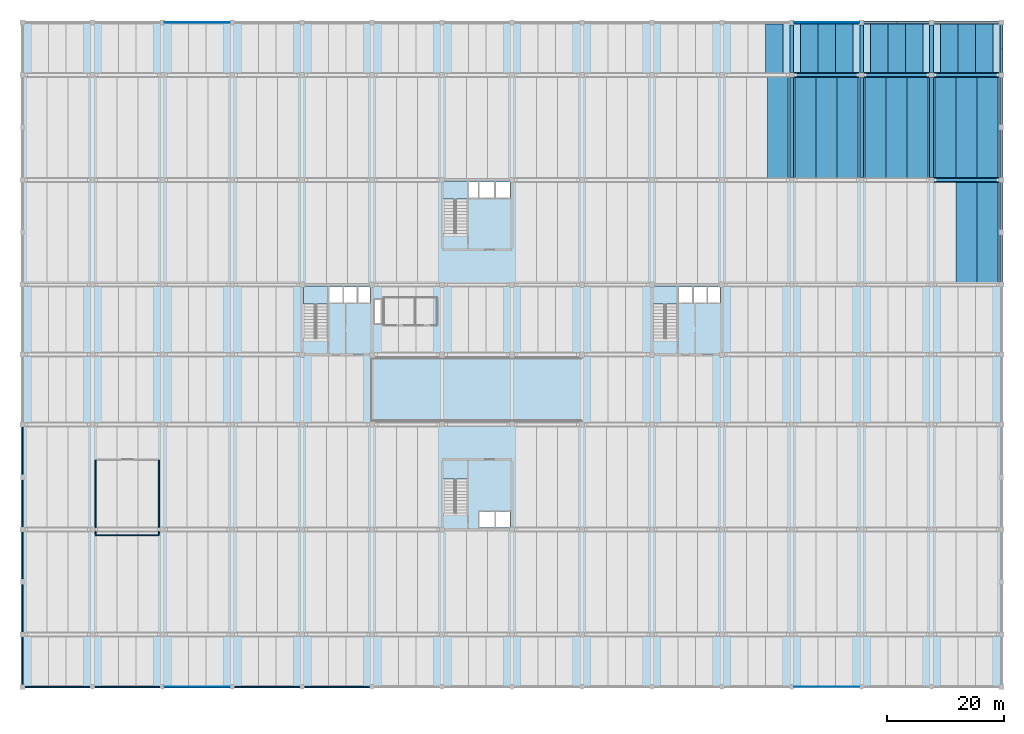
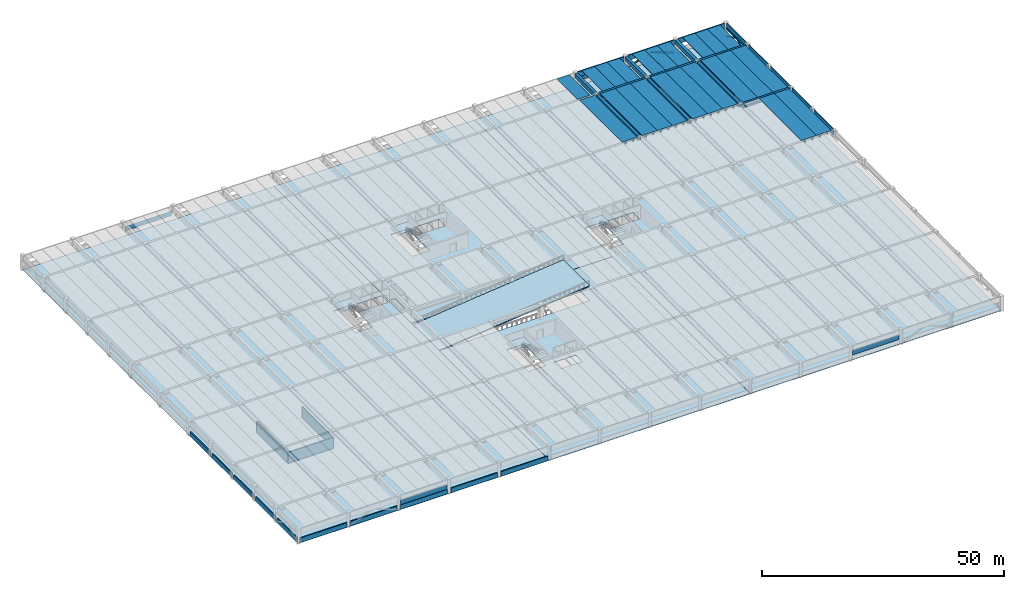
# One storey, part 6 of 19: 40 beams, 13 walls, 9 slabs, 4 members, 4 plates, 4 elements without a shape of their own.
"""IFC4 building model written with IfcOpenShell, lengths in metres."""

from ifc_helpers import new_model, si_unit, direction, frame, frame_2d, origin, origin_2d, place, context, subcontext, project, spatial, polyline, rectangle, hollow_rectangle, outline, extrude, material, layer, layer_set, material_profile, profile_set, type_object, element, aggregate, save


model = new_model("IFC4")

# Units and contexts
model_context = context("Model", 3, precision=1e-05, world=origin(), true_north=direction((0.0, 1.0)))
body_context = subcontext(model_context, "Body", "Model", "MODEL_VIEW")
ifc_project = project(units=[si_unit("LENGTHUNIT", "METRE"), si_unit("AREAUNIT", "SQUARE_METRE"), si_unit("VOLUMEUNIT", "CUBIC_METRE"), si_unit("PLANEANGLEUNIT", "RADIAN"), si_unit("MASSUNIT", "GRAM", prefix="KILO")], contexts=[model_context])

# Site, building, storey
site_placement = place(None, origin())
site = spatial("IfcSite", under=ifc_project, at=site_placement, CompositionType="ELEMENT")
building_placement = place(site_placement, origin())
building = spatial("IfcBuilding", under=site, at=building_placement, Name="Girod Span Mobility Hub", CompositionType="ELEMENT")
storey_placement = place(building_placement, frame((0.0, 0.0, 9.60009765625)))
storey = spatial("IfcBuildingStorey", under=building, at=storey_placement, Name="L02", CompositionType="ELEMENT", Elevation=9.60009765625)

# Beams
ifc_material_1 = material(Name="Concrete C50/60", Category="concrete")
ifc_material_profile_1 = material_profile(ifc_material_1, outline(polyline([(-1.5, 0.35009765625), (-1.5, 0.2548828125), (-0.840087890625, 0.2548828125), (-0.81494140625, -0.35009765625), (-0.68505859375, -0.35009765625), (-0.659912109375, 0.2548828125), (0.659912109375, 0.2548828125), (0.68505859375, -0.35009765625), (0.81494140625, -0.35009765625), (0.840087890625, 0.2548828125), (1.5, 0.2548828125), (1.5, 0.35009765625), (-1.5, 0.35009765625)])), Name="DT-3000X700")
ifc_profile_set_1 = profile_set([ifc_material_profile_1], Name="Concrete C50/60")
beam_type_1 = type_object("IfcBeamType", Name="BM-DT-3000X700", PredefinedType="JOIST", material=ifc_profile_set_1)
for number, where, z_axis, x_axis, name in (
    (1, (129.0, 105.2470703125, 3.284912109375), (0.0, 1.0, 0.0), (-1.0, 0.0, 0.0), "Double-Tee Deck 11/H-3 L02"),
    (2, (135.0, 105.2470703125, 3.284912109375), (0.0, 1.0, 0.0), (-1.0, 0.0, 0.0), "Double-Tee Deck 12/H-1 L02"),
    (3, (138.0, 105.2470703125, 3.284912109375), (0.0, 1.0, 0.0), (-1.0, 0.0, 0.0), "Double-Tee Deck 12/H-2 L02"),
    (4, (141.0, 105.2470703125, 3.284912109375), (0.0, 1.0, 0.0), (-1.0, 0.0, 0.0), "Double-Tee Deck 12/H-3 L02"),
    (5, (147.0, 105.2470703125, 3.284912109375), (0.0, 1.0, 0.0), (-1.0, 0.0, 0.0), "Double-Tee Deck 13/H-1 L02"),
    (6, (150.0, 105.2470703125, 3.284912109375), (0.0, 1.0, 0.0), (-1.0, 0.0, 0.0), "Double-Tee Deck 13/H-2 L02"),
    (7, (153.0, 105.2470703125, 3.284912109375), (0.0, 1.0, 0.0), (-1.0, 0.0, 0.0), "Double-Tee Deck 13/H-3 L02"),
    (8, (159.0, 105.2470703125, 3.284912109375), (0.0, 1.0, 0.0), (-1.0, 0.0, 0.0), "Double-Tee Deck 14/H-1 L02"),
    (9, (162.0, 105.2470703125, 3.284912109375), (0.0, 1.0, 0.0), (-1.0, 0.0, 0.0), "Double-Tee Deck 14/H-2 L02"),
    (10, (165.0, 105.2470703125, 3.284912109375), (0.0, 1.0, 0.0), (-1.0, 0.0, 0.0), "Double-Tee Deck 14/H-3 L02"),
):
    element("IfcBeam", number, at=place(storey_placement, frame(where, z_axis=z_axis, x_axis=x_axis)), inside=storey, type_object=beam_type_1, Name=name, PredefinedType="JOIST", context=body_context, shape_type="SweptSolid", body=[
        extrude(outline(polyline([(-1.5, 0.35009765625), (-1.5, 0.2548828125), (-0.840087890625, 0.2548828125), (-0.81494140625, -0.35009765625), (-0.68505859375, -0.35009765625), (-0.659912109375, 0.2548828125), (0.659912109375, 0.2548828125), (0.68505859375, -0.35009765625), (0.81494140625, -0.35009765625), (0.840087890625, 0.2548828125), (1.5, 0.2548828125), (1.5, 0.35009765625), (-1.5, 0.35009765625)])), origin(), (0.0, 0.0, 1.0), 8.531005859375),
    ])
ifc_material_2 = material(Name="Concrete C50/60", Category="concrete")
ifc_material_profile_2 = material_profile(ifc_material_2, outline(polyline([(-1.800048828125, 0.425048828125), (-1.800048828125, 0.324951171875), (-1.0, 0.324951171875), (-0.969970703125, -0.425048828125), (-0.830078125, -0.425048828125), (-0.800048828125, 0.324951171875), (0.800048828125, 0.324951171875), (0.830078125, -0.425048828125), (0.969970703125, -0.425048828125), (1.0, 0.324951171875), (1.800048828125, 0.324951171875), (1.800048828125, 0.425048828125), (-1.800048828125, 0.425048828125)])), Name="DT-3600X850")
ifc_profile_set_2 = profile_set([ifc_material_profile_2], Name="Concrete C50/60")
beam_type_2 = type_object("IfcBeamType", Name="BM-DT-3600X850", PredefinedType="JOIST", material=ifc_profile_set_2)
for number, where, z_axis, x_axis, name in (
    (11, (129.60009765625, 87.2470703125, 3.2099609375), (0.0, 1.0, 0.0), (-1.0, 0.0, 0.0), "Double-Tee Deck 11/G-3 L02"),
    (12, (134.39990234375, 87.2470703125, 3.2099609375), (0.0, 1.0, 0.0), (-1.0, 0.0, 0.0), "Double-Tee Deck 12/G-1 L02"),
    (13, (138.0, 87.2470703125, 3.2099609375), (0.0, 1.0, 0.0), (-1.0, 0.0, 0.0), "Double-Tee Deck 12/G-2 L02"),
    (14, (141.60009765625, 87.2470703125, 3.2099609375), (0.0, 1.0, 0.0), (-1.0, 0.0, 0.0), "Double-Tee Deck 12/G-3 L02"),
    (15, (146.39990234375, 87.2470703125, 3.2099609375), (0.0, 1.0, 0.0), (-1.0, 0.0, 0.0), "Double-Tee Deck 13/G-1 L02"),
    (16, (150.0, 87.2470703125, 3.2099609375), (0.0, 1.0, 0.0), (-1.0, 0.0, 0.0), "Double-Tee Deck 13/G-2 L02"),
    (17, (153.60009765625, 87.2470703125, 3.2099609375), (0.0, 1.0, 0.0), (-1.0, 0.0, 0.0), "Double-Tee Deck 13/G-3 L02"),
    (18, (162.0, 69.2470703125, 3.2099609375), (0.0, 1.0, 0.0), (-1.0, 0.0, 0.0), "Double-Tee Deck 14/F-2 L02"),
    (19, (165.60009765625, 69.2470703125, 3.2099609375), (0.0, 1.0, 0.0), (-1.0, 0.0, 0.0), "Double-Tee Deck 14/F-3 L02"),
    (20, (158.39990234375, 87.2470703125, 3.2099609375), (0.0, 1.0, 0.0), (-1.0, 0.0, 0.0), "Double-Tee Deck 14/G-1 L02"),
    (21, (162.0, 87.2470703125, 3.2099609375), (0.0, 1.0, 0.0), (-1.0, 0.0, 0.0), "Double-Tee Deck 14/G-2 L02"),
    (22, (165.60009765625, 87.2470703125, 3.2099609375), (0.0, 1.0, 0.0), (-1.0, 0.0, 0.0), "Double-Tee Deck 14/G-3 L02"),
):
    element("IfcBeam", number, at=place(storey_placement, frame(where, z_axis=z_axis, x_axis=x_axis)), inside=storey, type_object=beam_type_2, Name=name, PredefinedType="JOIST", context=body_context, shape_type="SweptSolid", body=[
        extrude(outline(polyline([(-1.800048828125, 0.425048828125), (-1.800048828125, 0.324951171875), (-1.0, 0.324951171875), (-0.969970703125, -0.425048828125), (-0.830078125, -0.425048828125), (-0.800048828125, 0.324951171875), (0.800048828125, 0.324951171875), (0.830078125, -0.425048828125), (0.969970703125, -0.425048828125), (1.0, 0.324951171875), (1.800048828125, 0.324951171875), (1.800048828125, 0.425048828125), (-1.800048828125, 0.425048828125)])), origin(), (0.0, 0.0, 1.0), 17.505859375),
    ])
ifc_material_3 = material(Name="Concrete C50/60", Category="concrete")
ifc_material_profile_3 = material_profile(ifc_material_3, outline(polyline([(-0.425048828125, -0.47509765625), (0.425048828125, -0.47509765625), (0.425048828125, -0.155029296875), (0.25, -0.155029296875), (0.25, 0.47509765625), (-0.25, 0.47509765625), (-0.25, -0.155029296875), (-0.425048828125, -0.155029296875), (-0.425048828125, -0.47509765625)])), Name="IT-850X950")
ifc_profile_set_3 = profile_set([ifc_material_profile_3], Name="Concrete C50/60")
beam_type_3 = type_object("IfcBeamType", Name="BM-IT-850X950", PredefinedType="T_BEAM", material=ifc_profile_set_3)
for number, where, z_axis, x_axis, name in (
    (23, (156.422119140625, 87.0, 3.159912109375), (1.0, 0.0, 0.0), (0.0, 1.0, 0.0), "Girder 14-15/G L02"),
    (24, (132.422119140625, 105.0, 3.159912109375), (1.0, 0.0, 0.0), (0.0, 1.0, 0.0), "Girder 12-13/H L02"),
    (25, (144.422119140625, 105.0, 3.159912109375), (1.0, 0.0, 0.0), (0.0, 1.0, 0.0), "Girder 13-14/H L02"),
    (26, (156.422119140625, 105.0, 3.159912109375), (1.0, 0.0, 0.0), (0.0, 1.0, 0.0), "Girder 14-15/H L02"),
):
    element("IfcBeam", number, at=place(storey_placement, frame(where, z_axis=z_axis, x_axis=x_axis)), inside=storey, type_object=beam_type_3, Name=name, PredefinedType="T_BEAM", context=body_context, shape_type="SweptSolid", body=[
        extrude(outline(polyline([(-0.425048828125, -0.47509765625), (0.425048828125, -0.47509765625), (0.425048828125, -0.155029296875), (0.25, -0.155029296875), (0.25, 0.47509765625), (-0.25, 0.47509765625), (-0.25, -0.155029296875), (-0.425048828125, -0.155029296875), (-0.425048828125, -0.47509765625)])), origin(), (0.0, 0.0, 1.0), 11.15576171875),
    ])
ifc_material_4 = material(Name="Concrete C40/50", Category="concrete")
ifc_material_profile_4 = material_profile(ifc_material_4, outline(polyline([(-0.22509765625, -0.675048828125), (0.22509765625, -0.675048828125), (0.22509765625, -0.324951171875), (0.02490234375, -0.324951171875), (0.02490234375, 0.675048828125), (-0.22509765625, 0.675048828125), (-0.22509765625, -0.675048828125)])), Name="SP-450X1350")
ifc_profile_set_4 = profile_set([ifc_material_profile_4], Name="Concrete C40/50")
beam_type_4 = type_object("IfcBeamType", Name="BM-SP-450X1350", PredefinedType="SPANDREL", material=ifc_profile_set_4)
for number, where, z_axis, x_axis, name in (
    (27, (132.422119140625, 114.0, 2.9599609375), (1.0, 0.0, 0.0), (0.0, 1.0, 0.0), "Girder 12-13/J L02"),
    (28, (144.422119140625, 114.0, 2.9599609375), (1.0, 0.0, 0.0), (0.0, 1.0, 0.0), "Girder 13-14/J L02"),
    (29, (156.422119140625, 114.0, 2.9599609375), (1.0, 0.0, 0.0), (0.0, 1.0, 0.0), "Girder 14-15/J L02"),
):
    element("IfcBeam", number, at=place(storey_placement, frame(where, z_axis=z_axis, x_axis=x_axis)), inside=storey, type_object=beam_type_4, Name=name, PredefinedType="SPANDREL", context=body_context, shape_type="SweptSolid", body=[
        extrude(outline(polyline([(-0.22509765625, -0.675048828125), (0.22509765625, -0.675048828125), (0.22509765625, -0.324951171875), (0.02490234375, -0.324951171875), (0.02490234375, 0.675048828125), (-0.22509765625, 0.675048828125), (-0.22509765625, -0.675048828125)])), origin(), (0.0, 0.0, 1.0), 11.15576171875),
    ])
for number, where, z_axis, x_axis, name in (
    (30, (168.0, 69.422119140625, 2.9599609375), (0.0, 1.0, 0.0), (-1.0, 0.0, 0.0), "Perimeter Spandrel 15/F-S L02"),
    (31, (168.0, 78.471923828125, 2.9599609375), (0.0, 1.0, 0.0), (-1.0, 0.0, 0.0), "Perimeter Spandrel 15/F-N L02"),
    (32, (168.0, 87.422119140625, 2.9599609375), (0.0, 1.0, 0.0), (-1.0, 0.0, 0.0), "Perimeter Spandrel 15/G-S L02"),
    (33, (168.0, 96.471923828125, 2.9599609375), (0.0, 1.0, 0.0), (-1.0, 0.0, 0.0), "Perimeter Spandrel 15/G-N L02"),
):
    element("IfcBeam", number, at=place(storey_placement, frame(where, z_axis=z_axis, x_axis=x_axis)), inside=storey, type_object=beam_type_4, Name=name, PredefinedType="SPANDREL", context=body_context, shape_type="SweptSolid", body=[
        extrude(outline(polyline([(-0.22509765625, -0.675048828125), (0.22509765625, -0.675048828125), (0.22509765625, -0.324951171875), (0.02490234375, -0.324951171875), (0.02490234375, 0.675048828125), (-0.22509765625, 0.675048828125), (-0.22509765625, -0.675048828125)])), origin(), (0.0, 0.0, 1.0), 8.10595703125),
    ])
beam_1_placement = place(storey_placement, frame((168.0, 105.422119140625, 2.9599609375), z_axis=(0.0, 1.0, 0.0), x_axis=(-1.0, 0.0, 0.0)))
element("IfcBeam", 34, at=beam_1_placement, inside=storey, type_object=beam_type_4, Name="Tie Girder 15/H-J L02", PredefinedType="SPANDREL", context=body_context, shape_type="SweptSolid", body=[
    extrude(outline(polyline([(-0.22509765625, -0.675048828125), (0.22509765625, -0.675048828125), (0.22509765625, -0.324951171875), (0.02490234375, -0.324951171875), (0.02490234375, 0.675048828125), (-0.22509765625, 0.675048828125), (-0.22509765625, -0.675048828125)])), origin(), (0.0, 0.0, 1.0), 8.15576171875),
])
ifc_material_5 = material(Name="Concrete C40/50", Category="concrete")
ifc_material_profile_5 = material_profile(ifc_material_5, rectangle(XDim=0.64990234375, YDim=1.0, at=origin_2d()), Name="TG-650X1000")
ifc_profile_set_5 = profile_set([ifc_material_profile_5], Name="Concrete C40/50")
beam_type_5 = type_object("IfcBeamType", Name="BM-TG-650X1000", PredefinedType="T_BEAM", material=ifc_profile_set_5)
beam_2_placement = place(storey_placement, frame((132.0, 87.422119140625, 3.135009765625), z_axis=(0.0, 1.0, 0.0), x_axis=(-1.0, 0.0, 0.0)))
element("IfcBeam", 35, at=beam_2_placement, inside=storey, type_object=beam_type_5, Name="Tie Girder 12/G-H L02", PredefinedType="T_BEAM", context=body_context, shape_type="SweptSolid", body=[
    extrude(rectangle(XDim=0.64990234375, YDim=1.0, at=origin_2d()), origin(), (0.0, 0.0, 1.0), 17.15576171875),
])
beam_3_placement = place(storey_placement, frame((132.0, 105.422119140625, 3.135009765625), z_axis=(0.0, 1.0, 0.0), x_axis=(-1.0, 0.0, 0.0)))
element("IfcBeam", 36, at=beam_3_placement, inside=storey, type_object=beam_type_5, Name="Tie Girder 12/H-J L02", PredefinedType="T_BEAM", context=body_context, shape_type="SweptSolid", body=[
    extrude(rectangle(XDim=0.64990234375, YDim=1.0, at=origin_2d()), origin(), (0.0, 0.0, 1.0), 8.15576171875),
])
beam_4_placement = place(storey_placement, frame((144.0, 87.422119140625, 3.135009765625), z_axis=(0.0, 1.0, 0.0), x_axis=(-1.0, 0.0, 0.0)))
element("IfcBeam", 37, at=beam_4_placement, inside=storey, type_object=beam_type_5, Name="Tie Girder 13/G-H L02", PredefinedType="T_BEAM", context=body_context, shape_type="SweptSolid", body=[
    extrude(rectangle(XDim=0.64990234375, YDim=1.0, at=origin_2d()), origin(), (0.0, 0.0, 1.0), 17.15576171875),
])
beam_5_placement = place(storey_placement, frame((144.0, 105.422119140625, 3.135009765625), z_axis=(0.0, 1.0, 0.0), x_axis=(-1.0, 0.0, 0.0)))
element("IfcBeam", 38, at=beam_5_placement, inside=storey, type_object=beam_type_5, Name="Tie Girder 13/H-J L02", PredefinedType="T_BEAM", context=body_context, shape_type="SweptSolid", body=[
    extrude(rectangle(XDim=0.64990234375, YDim=1.0, at=origin_2d()), origin(), (0.0, 0.0, 1.0), 8.15576171875),
])
beam_6_placement = place(storey_placement, frame((156.0, 87.422119140625, 3.135009765625), z_axis=(0.0, 1.0, 0.0), x_axis=(-1.0, 0.0, 0.0)))
element("IfcBeam", 39, at=beam_6_placement, inside=storey, type_object=beam_type_5, Name="Tie Girder 14/G-H L02", PredefinedType="T_BEAM", context=body_context, shape_type="SweptSolid", body=[
    extrude(rectangle(XDim=0.64990234375, YDim=1.0, at=origin_2d()), origin(), (0.0, 0.0, 1.0), 17.15576171875),
])
beam_7_placement = place(storey_placement, frame((156.0, 105.422119140625, 3.135009765625), z_axis=(0.0, 1.0, 0.0), x_axis=(-1.0, 0.0, 0.0)))
element("IfcBeam", 40, at=beam_7_placement, inside=storey, type_object=beam_type_5, Name="Tie Girder 14/H-J L02", PredefinedType="T_BEAM", context=body_context, shape_type="SweptSolid", body=[
    extrude(rectangle(XDim=0.64990234375, YDim=1.0, at=origin_2d()), origin(), (0.0, 0.0, 1.0), 8.15576171875),
])

# Members
ifc_material_6 = material(Name="Steel HSS A500 Grade C", Category="steel")
ifc_material_profile_6 = material_profile(ifc_material_6, hollow_rectangle(XDim=0.304931640625, YDim=0.304931640625, WallThickness=0.014892578125, InnerFilletRadius=0.014892578125, OuterFilletRadius=0.029541015625, at=origin_2d()), Name="HSS305X305X16")
ifc_profile_set_6 = profile_set([ifc_material_profile_6], Name="Steel HSS A500 Grade C")
member_type = type_object("IfcMemberType", Name="MB-BR-HSS305", PredefinedType="BRACE", material=ifc_profile_set_6)
for number, where, z_axis, x_axis, name in (
    (41, (144.405029296875, 114.0, 0.349853515625), (0.940836636114, 0.0, 0.33886047888), (0.0, 1.0, 0.0), "Perimeter Chevron Brace 13/J-L L02"),
    (42, (155.594970703125, 114.0, 0.349853515625), (-0.940836636114, 0.0, 0.33886047888), (0.0, -1.0, 0.0), "Perimeter Chevron Brace 13/J-R L02"),
):
    element("IfcMember", number, at=place(storey_placement, frame(where, z_axis=z_axis, x_axis=x_axis)), inside=storey, type_object=member_type, Name=name, PredefinedType="BRACE", context=body_context, shape_type="SweptSolid", body=[
        extrude(hollow_rectangle(XDim=0.304931640625, YDim=0.304931640625, WallThickness=0.014892578125, InnerFilletRadius=0.014892578125, OuterFilletRadius=0.029541015625, at=origin_2d()), origin(), (0.0, 0.0, 1.0), 5.94677734375),
    ])
for number, where, z_axis, x_axis, name in (
    (43, (168.0, 105.405029296875, 0.349853515625), (0.0, 0.897244365985, 0.441534310907), (-1.0, 0.0, 0.0), "Side Chevron Brace 15/H-S L02"),
    (44, (168.0, 113.594970703125, 0.349853515625), (0.0, -0.897244365985, 0.441534310907), (1.0, 0.0, 0.0), "Side Chevron Brace 15/H-N L02"),
):
    element("IfcMember", number, at=place(storey_placement, frame(where, z_axis=z_axis, x_axis=x_axis)), inside=storey, type_object=member_type, Name=name, PredefinedType="BRACE", context=body_context, shape_type="SweptSolid", body=[
        extrude(hollow_rectangle(XDim=0.304931640625, YDim=0.304931640625, WallThickness=0.014892578125, InnerFilletRadius=0.014892578125, OuterFilletRadius=0.029541015625, at=origin_2d()), origin(), (0.0, 0.0, 1.0), 4.56396484375),
    ])

# Plates
ifc_material_7 = material(Name="Perforated Powder-Coated Aluminium Sheet", Category="aluminium")
ifc_layer_1 = layer(ifc_material_7, 0.035888671875)
ifc_layer_set_1 = layer_set([ifc_layer_1], Name="Perforated Powder-Coated Aluminium Sheet")
plate_type = type_object("IfcPlateType", Name="PLT-CLD-11154X1135X36", PredefinedType="USERDEFINED", material=ifc_layer_set_1)
for number, where, z_axis, x_axis, name in (
    (45, (30.0, 0.0, 1.14990234375), (0.0, 0.0, 1.0), (1.0, 0.0, 0.0), "Perforated Aluminium Cladding Panel S-3 L02"),
    (46, (138.0, 0.0, 1.14990234375), (0.0, 0.0, 1.0), (1.0, 0.0, 0.0), "Perforated Aluminium Cladding Panel S-12 L02"),
    (47, (30.0, 114.0, 1.14990234375), (0.0, 0.0, 1.0), (1.0, 0.0, 0.0), "Perforated Aluminium Cladding Panel N-3 L02"),
    (48, (138.0, 114.0, 1.14990234375), (0.0, 0.0, 1.0), (1.0, 0.0, 0.0), "Perforated Aluminium Cladding Panel N-12 L02"),
):
    element("IfcPlate", number, at=place(storey_placement, frame(where, z_axis=z_axis, x_axis=x_axis)), inside=storey, type_object=plate_type, Name=name, ObjectType="CLADDING", PredefinedType="USERDEFINED", context=body_context, shape_type="SweptSolid", body=[
        extrude(rectangle(XDim=11.154052734375, YDim=0.035888671875, at=origin_2d()), origin(), (0.0, 0.0, 1.0), 1.135009765625),
    ])

# Slabs
ifc_material_8 = material(Name="Concrete C40/50", Category="concrete")
ifc_layer_2 = layer(ifc_material_8, 0.159912109375)
ifc_layer_set_2 = layer_set([ifc_layer_2], Name="Concrete C40/50")
slab_type_1 = type_object("IfcSlabType", Name="SL-FLR-160", PredefinedType="FLOOR", material=ifc_layer_set_2)
slab_1_placement = place(storey_placement, frame((0.0, 0.0, -0.16015625)))
element("IfcSlab", 49, at=slab_1_placement, inside=storey, type_object=slab_type_1, Name="Floor Slab L02 Sector W", PredefinedType="FLOOR", context=body_context, shape_type="SweptSolid", body=[
    extrude(outline(polyline([(0.0, 114.0), (60.0, 114.0), (60.0, 56.39990234375), (60.0, 45.60009765625), (60.0, 0.0), (0.0, 0.0), (0.0, 114.0)]), holes=[polyline([(48.219970703125, 68.820068359375), (48.219970703125, 59.8349609375), (52.340087890625, 59.8349609375), (52.340087890625, 68.820068359375), (48.219970703125, 68.820068359375)]), polyline([(52.64990234375, 68.64990234375), (52.64990234375, 65.949951171875), (54.949951171875, 65.949951171875), (54.949951171875, 68.64990234375), (52.64990234375, 68.64990234375)]), polyline([(55.199951171875, 68.64990234375), (55.199951171875, 65.949951171875), (57.35009765625, 65.949951171875), (57.35009765625, 68.64990234375), (55.199951171875, 68.64990234375)]), polyline([(57.60009765625, 68.64990234375), (57.60009765625, 65.949951171875), (59.64990234375, 65.949951171875), (59.64990234375, 68.64990234375), (57.60009765625, 68.64990234375)])]), origin(), (0.0, 0.0, 1.0), 0.16015625),
])
slab_2_placement = place(storey_placement, frame((0.0, 0.0, -0.16015625)))
element("IfcSlab", 50, at=slab_2_placement, inside=storey, type_object=slab_type_1, Name="Floor Slab L02 Sector CS", PredefinedType="FLOOR", context=body_context, shape_type="SweptSolid", body=[
    extrude(outline(polyline([(60.0, 0.0), (60.0, 45.60009765625), (96.0, 45.60009765625), (96.0, 56.39990234375), (60.0, 56.39990234375), (60.0, 57.0), (108.0, 57.0), (108.0, 0.0), (60.0, 0.0)]), holes=[polyline([(72.219970703125, 38.820068359375), (72.219970703125, 29.8349609375), (76.340087890625, 29.8349609375), (76.340087890625, 38.820068359375), (72.219970703125, 38.820068359375)]), polyline([(78.449951171875, 30.050048828125), (78.449951171875, 27.35009765625), (81.0, 27.35009765625), (81.0, 30.050048828125), (78.449951171875, 30.050048828125)]), polyline([(81.25, 30.050048828125), (81.25, 27.35009765625), (83.64990234375, 27.35009765625), (83.64990234375, 30.050048828125), (81.25, 30.050048828125)])]), origin(), (0.0, 0.0, 1.0), 0.16015625),
])
slab_3_placement = place(storey_placement, frame((0.0, 0.0, -0.16015625)))
element("IfcSlab", 51, at=slab_3_placement, inside=storey, type_object=slab_type_1, Name="Floor Slab L02 Sector CN", PredefinedType="FLOOR", context=body_context, shape_type="SweptSolid", body=[
    extrude(outline(polyline([(108.0, 114.0), (108.0, 57.0), (60.0, 57.0), (60.0, 114.0), (108.0, 114.0)]), holes=[polyline([(60.449951171875, 66.449951171875), (60.449951171875, 62.35009765625), (61.47998046875, 62.35009765625), (61.47998046875, 66.449951171875), (60.449951171875, 66.449951171875)]), polyline([(72.219970703125, 86.820068359375), (72.219970703125, 77.8349609375), (76.340087890625, 77.8349609375), (76.340087890625, 86.820068359375), (72.219970703125, 86.820068359375)]), polyline([(76.64990234375, 86.64990234375), (76.64990234375, 83.949951171875), (78.14990234375, 83.949951171875), (78.14990234375, 86.64990234375), (76.64990234375, 86.64990234375)]), polyline([(80.949951171875, 86.64990234375), (78.39990234375, 86.64990234375), (78.39990234375, 83.949951171875), (80.949951171875, 83.949951171875), (80.949951171875, 86.64990234375)]), polyline([(83.64990234375, 86.64990234375), (81.199951171875, 86.64990234375), (81.199951171875, 83.949951171875), (83.64990234375, 83.949951171875), (83.64990234375, 86.64990234375)])]), origin(), (0.0, 0.0, 1.0), 0.16015625),
])
slab_4_placement = place(storey_placement, frame((0.0, 0.0, -0.16015625)))
element("IfcSlab", 52, at=slab_4_placement, inside=storey, type_object=slab_type_1, Name="Floor Slab L02 Sector E", PredefinedType="FLOOR", context=body_context, shape_type="SweptSolid", body=[
    extrude(outline(polyline([(168.0, 114.0), (168.0, 0.0), (108.0, 0.0), (108.0, 114.0), (168.0, 114.0)]), holes=[polyline([(108.219970703125, 68.820068359375), (108.219970703125, 59.8349609375), (112.340087890625, 59.8349609375), (112.340087890625, 68.820068359375), (108.219970703125, 68.820068359375)]), polyline([(112.64990234375, 68.64990234375), (112.64990234375, 65.949951171875), (114.949951171875, 65.949951171875), (114.949951171875, 68.64990234375), (112.64990234375, 68.64990234375)]), polyline([(115.199951171875, 68.64990234375), (115.199951171875, 65.949951171875), (117.35009765625, 65.949951171875), (117.35009765625, 68.64990234375), (115.199951171875, 68.64990234375)]), polyline([(117.60009765625, 68.64990234375), (117.60009765625, 65.949951171875), (119.64990234375, 65.949951171875), (119.64990234375, 68.64990234375), (117.60009765625, 68.64990234375)])]), origin(), (0.0, 0.0, 1.0), 0.16015625),
])

# Stair, slab
ifc_material_9 = material(Name="Concrete C40/50", Category="concrete")
stair_type = type_object("IfcStairType", Name="STR-3800-W1860", PredefinedType="HALF_TURN_STAIR", material=ifc_material_9)
stair_1_placement = place(storey_placement, origin())
stair_1 = element("IfcStair", 53, at=stair_1_placement, inside=storey, type_object=stair_type, Name="Exit Stair ST-1 L02", PredefinedType="HALF_TURN_STAIR")
ifc_material_10 = material(Name="Concrete C40/50", Category="concrete")
ifc_layer_3 = layer(ifc_material_10, 0.3798828125)
ifc_layer_set_3 = layer_set([ifc_layer_3], Name="Concrete C40/50")
slab_type_2 = type_object("IfcSlabType", Name="SL-LND-380", PredefinedType="LANDING", material=ifc_layer_set_3)
slab_5_placement = place(storey_placement, frame((0.0, 0.0, 1.52001953125)))
slab_5 = element("IfcSlab", 54, at=slab_5_placement, type_object=slab_type_2, Name="Stair ST-1 Half-Landing L02", PredefinedType="LANDING", context=body_context, shape_type="SweptSolid", body=[
    extrude(outline(polyline([(52.3349609375, 65.68603515625), (52.3349609375, 68.784912109375), (48.215087890625, 68.784912109375), (48.215087890625, 65.68603515625), (52.3349609375, 65.68603515625)])), origin(), (0.0, 0.0, 1.0), 0.3798828125),
])
aggregate(stair_1, [slab_5])

stair_2_placement = place(storey_placement, origin())
stair_2 = element("IfcStair", 55, at=stair_2_placement, inside=storey, type_object=stair_type, Name="Exit Stair ST-2 L02", PredefinedType="HALF_TURN_STAIR")
slab_6_placement = place(storey_placement, frame((0.0, 0.0, 1.52001953125)))
slab_6 = element("IfcSlab", 56, at=slab_6_placement, type_object=slab_type_2, Name="Stair ST-2 Half-Landing L02", PredefinedType="LANDING", context=body_context, shape_type="SweptSolid", body=[
    extrude(outline(polyline([(112.3349609375, 65.68603515625), (112.3349609375, 68.784912109375), (108.215087890625, 68.784912109375), (108.215087890625, 65.68603515625), (112.3349609375, 65.68603515625)])), origin(), (0.0, 0.0, 1.0), 0.3798828125),
])
aggregate(stair_2, [slab_6])

stair_3_placement = place(storey_placement, origin())
stair_3 = element("IfcStair", 57, at=stair_3_placement, inside=storey, type_object=stair_type, Name="Exit Stair ST-3 L02", PredefinedType="HALF_TURN_STAIR")
slab_7_placement = place(storey_placement, frame((0.0, 0.0, 1.52001953125)))
slab_7 = element("IfcSlab", 58, at=slab_7_placement, type_object=slab_type_2, Name="Stair ST-3 Half-Landing L02", PredefinedType="LANDING", context=body_context, shape_type="SweptSolid", body=[
    extrude(outline(polyline([(76.3349609375, 35.68603515625), (76.3349609375, 38.81005859375), (72.18994140625, 38.81005859375), (72.18994140625, 35.68603515625), (76.3349609375, 35.68603515625)])), origin(), (0.0, 0.0, 1.0), 0.3798828125),
])
aggregate(stair_3, [slab_7])

stair_4_placement = place(storey_placement, origin())
stair_4 = element("IfcStair", 59, at=stair_4_placement, inside=storey, type_object=stair_type, Name="Exit Stair ST-4 L02", PredefinedType="HALF_TURN_STAIR")
slab_8_placement = place(storey_placement, frame((0.0, 0.0, 1.52001953125)))
slab_8 = element("IfcSlab", 60, at=slab_8_placement, type_object=slab_type_2, Name="Stair ST-4 Half-Landing L02", PredefinedType="LANDING", context=body_context, shape_type="SweptSolid", body=[
    extrude(outline(polyline([(76.3349609375, 83.68603515625), (76.3349609375, 86.81005859375), (72.18994140625, 86.81005859375), (72.18994140625, 83.68603515625), (76.3349609375, 83.68603515625)])), origin(), (0.0, 0.0, 1.0), 0.3798828125),
])
aggregate(stair_4, [slab_8])

# Slab
ifc_material_11 = material(Name="Concrete C40/50", Category="concrete")
ifc_layer_4 = layer(ifc_material_11, 0.280029296875)
ifc_layer_set_4 = layer_set([ifc_layer_4], Name="Concrete C40/50")
slab_type_3 = type_object("IfcSlabType", Name="SL-RAMP-280", PredefinedType="USERDEFINED", material=ifc_layer_set_4)
slab_9_placement = place(storey_placement, frame((60.050048828125, 45.60009765625, 0.0), z_axis=(-0.105198461318, 0.0, 0.994451247541), x_axis=(0.994451247541, 0.0, 0.105198461318)))
element("IfcSlab", 61, at=slab_9_placement, inside=storey, type_object=slab_type_3, Name="Two-Way Express Vehicular Ramp L02 to L03", ObjectType="VEHICULAR RAMP", PredefinedType="USERDEFINED", context=body_context, shape_type="SweptSolid", body=[
    extrude(outline(polyline([(0.0, 0.0), (36.1203447266115, 0.0), (36.1203447266115, 10.7998046875), (0.0, 10.7998046875), (0.0, 0.0)])), origin(), (0.0, 0.0, -1.0), 0.280029296875),
])

# Walls
ifc_material_12 = material(Name="Reinforced Concrete Masonry Block", Category="masonry")
ifc_layer_5 = layer(ifc_material_12, 0.179931640625)
ifc_layer_set_5 = layer_set([ifc_layer_5], Name="Reinforced Concrete Masonry Block")
wall_type_1 = type_object("IfcWallType", Name="W-FP-180", PredefinedType="SOLIDWALL", material=ifc_layer_set_5)
wall_1_placement = place(storey_placement, frame((12.60009765625, 26.0, 0.0), z_axis=(0.0, 0.0, 1.0), x_axis=(1.0, 0.0, 0.0)))
element("IfcWall", 62, at=wall_1_placement, inside=storey, type_object=wall_type_1, Name="Transformer Room L02 Partition S", PredefinedType="SOLIDWALL", context=body_context, shape_type="SweptSolid", body=[
    extrude(rectangle(XDim=10.7998046875, YDim=0.179931640625, at=frame_2d((5.39990234375, 0.0))), origin(), (0.0, 0.0, 1.0), 2.75),
])
for number, where, z_axis, x_axis, name in (
    (63, (12.60009765625, 26.159912109375, 0.0), (0.0, 0.0, 1.0), (0.0, 1.0, 0.0), "Transformer Room L02 Partition W"),
    (64, (23.39990234375, 26.159912109375, 0.0), (0.0, 0.0, 1.0), (0.0, 1.0, 0.0), "Transformer Room L02 Partition E"),
):
    element("IfcWall", number, at=place(storey_placement, frame(where, z_axis=z_axis, x_axis=x_axis)), inside=storey, type_object=wall_type_1, Name=name, PredefinedType="SOLIDWALL", context=body_context, shape_type="SweptSolid", body=[
        extrude(rectangle(XDim=12.68017578125, YDim=0.179931640625, at=frame_2d((6.340087890625, 0.0))), origin(), (0.0, 0.0, 1.0), 2.75),
    ])
ifc_material_13 = material(Name="Precast Architectural Concrete C40/50", Category="concrete")
ifc_layer_6 = layer(ifc_material_13, 0.239990234375)
ifc_layer_set_6 = layer_set([ifc_layer_6], Name="Precast Architectural Concrete C40/50")
wall_type_2 = type_object("IfcWallType", Name="W-PAR-240", PredefinedType="PARAPET", material=ifc_layer_set_6)
for number, where, z_axis, x_axis, name in (
    (65, (0.423095703125, 0.0, 0.0), (0.0, 0.0, 1.0), (1.0, 0.0, 0.0), "Precast Parking Barrier Parapet S-1 L02"),
    (66, (12.423095703125, 0.0, 0.0), (0.0, 0.0, 1.0), (1.0, 0.0, 0.0), "Precast Parking Barrier Parapet S-2 L02"),
    (67, (24.423095703125, 0.0, 0.0), (0.0, 0.0, 1.0), (1.0, 0.0, 0.0), "Precast Parking Barrier Parapet S-3 L02"),
    (68, (36.423095703125, 0.0, 0.0), (0.0, 0.0, 1.0), (1.0, 0.0, 0.0), "Precast Parking Barrier Parapet S-4 L02"),
    (69, (48.423095703125, 0.0, 0.0), (0.0, 0.0, 1.0), (1.0, 0.0, 0.0), "Precast Parking Barrier Parapet S-5 L02"),
):
    element("IfcWall", number, at=place(storey_placement, frame(where, z_axis=z_axis, x_axis=x_axis)), inside=storey, type_object=wall_type_2, Name=name, PredefinedType="PARAPET", context=body_context, shape_type="SweptSolid", body=[
        extrude(rectangle(XDim=11.15380859375, YDim=0.239990234375, at=frame_2d((5.576904296875, 0.0))), origin(), (0.0, 0.0, 1.0), 1.14990234375),
    ])
wall_2_placement = place(storey_placement, frame((0.0, 0.423095703125, 0.0), z_axis=(0.0, 0.0, 1.0), x_axis=(0.0, 1.0, 0.0)))
element("IfcWall", 70, at=wall_2_placement, inside=storey, type_object=wall_type_2, Name="Precast Side Barrier Parapet W-A-1 L02", PredefinedType="PARAPET", context=body_context, shape_type="SweptSolid", body=[
    extrude(rectangle(XDim=8.15380859375, YDim=0.239990234375, at=frame_2d((4.076904296875, 0.0))), origin(), (0.0, 0.0, 1.0), 1.14990234375),
])
for number, where, z_axis, x_axis, name in (
    (71, (0.0, 9.423095703125, 0.0), (0.0, 0.0, 1.0), (0.0, 1.0, 0.0), "Precast Side Barrier Parapet W-B-1 L02"),
    (72, (0.0, 18.472900390625, 0.0), (0.0, 0.0, 1.0), (0.0, 1.0, 0.0), "Precast Side Barrier Parapet W-B-2 L02"),
    (73, (0.0, 27.423095703125, 0.0), (0.0, 0.0, 1.0), (0.0, 1.0, 0.0), "Precast Side Barrier Parapet W-C-1 L02"),
    (74, (0.0, 36.472900390625, 0.0), (0.0, 0.0, 1.0), (0.0, 1.0, 0.0), "Precast Side Barrier Parapet W-C-2 L02"),
):
    element("IfcWall", number, at=place(storey_placement, frame(where, z_axis=z_axis, x_axis=x_axis)), inside=storey, type_object=wall_type_2, Name=name, PredefinedType="PARAPET", context=body_context, shape_type="SweptSolid", body=[
        extrude(rectangle(XDim=8.10400390625, YDim=0.239990234375, at=frame_2d((4.052001953125, 0.0))), origin(), (0.0, 0.0, 1.0), 1.14990234375),
    ])

save(model, "model.ifc")
